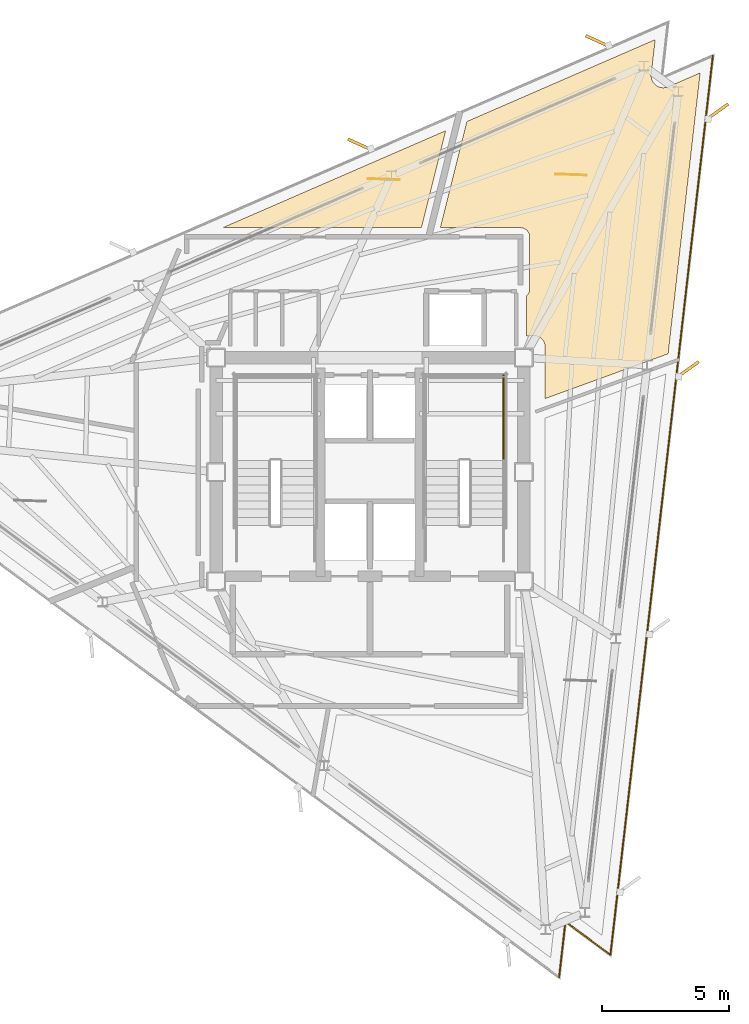
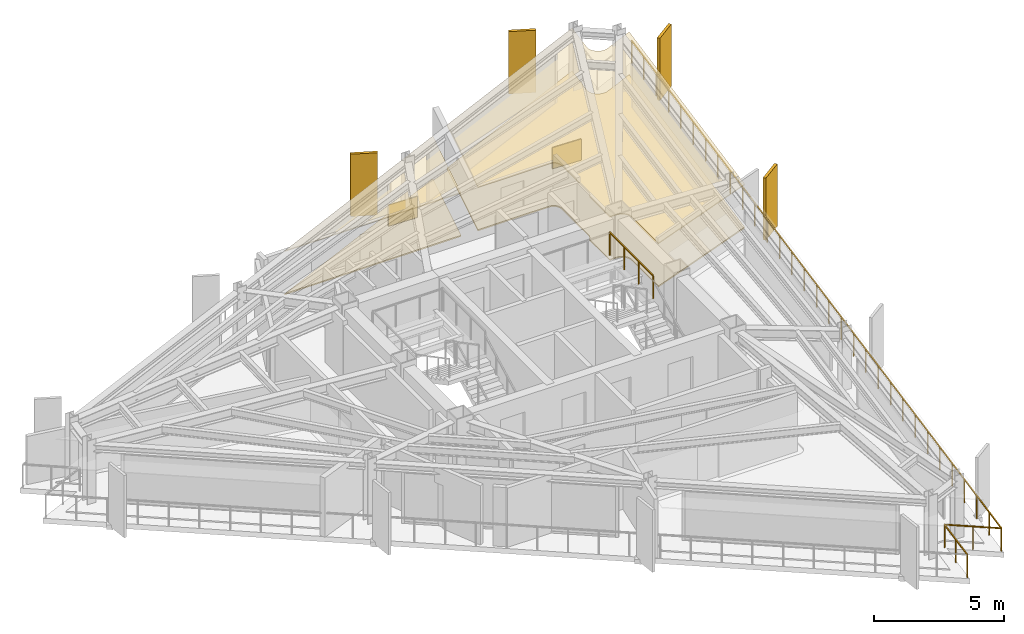
# One storey, part 10 of 10: 6 coverings, 4 shading devices, 2 railings.
"""IFC4 building model written with IfcOpenShell, lengths in metres."""

from ifc_helpers import new_model, si_unit, direction, frame, origin, origin_2d, place, context, subcontext, project, spatial, polyline, rectangle, outline, extrude, material, layer, layer_set, type_object, element, save


model = new_model("IFC4")

# Units and contexts
model_context = context("Model", 3, precision=1e-05, world=origin(), true_north=direction((0.0, 1.0)))
body_context = subcontext(model_context, "Body", "Model", "MODEL_VIEW")
ifc_project = project(units=[si_unit("LENGTHUNIT", "METRE"), si_unit("AREAUNIT", "SQUARE_METRE"), si_unit("VOLUMEUNIT", "CUBIC_METRE"), si_unit("PLANEANGLEUNIT", "RADIAN"), si_unit("MASSUNIT", "GRAM", prefix="KILO")], contexts=[model_context])

# Site, building, storey
site_placement = place(None, origin())
site = spatial("IfcSite", under=ifc_project, at=site_placement, CompositionType="ELEMENT")
building_placement = place(site_placement, origin())
building = spatial("IfcBuilding", under=site, at=building_placement, Name="Rocaltana Carrier Exchange", CompositionType="ELEMENT")
storey_placement = place(building_placement, frame((0.0, 0.0, 220.9599609375)))
storey = spatial("IfcBuildingStorey", under=building, at=storey_placement, Name="L70", CompositionType="ELEMENT", Elevation=220.9599609375)

# Coverings
ifc_material_1 = material(Name="Calcium Sulphate & Aluminium Pedestal", Category="aluminium")
ifc_layer_1 = layer(ifc_material_1, 0.06005859375)
ifc_layer_set_1 = layer_set([ifc_layer_1], Name="Calcium Sulphate & Aluminium Pedestal")
covering_type_1 = type_object("IfcCoveringType", Name="Anti-Static Raised Exchange Access Floor 60", PredefinedType="FLOORING", material=ifc_layer_set_1)
covering_1_placement = place(storey_placement, origin())
element("IfcCovering", 1, at=covering_1_placement, inside=storey, type_object=covering_type_1, Name="L70 Protocol Calibration Laboratory Finish Floor", PredefinedType="FLOORING", context=body_context, shape_type="SweptSolid", body=[
    extrude(outline(polyline([(6.159912109375, 6.931884765625), (6.16455078125, 6.93603515625), (6.18408203125, 6.955322265625), (6.189208984375, 6.961181640625), (6.206787109375, 6.982421875), (6.21142578125, 6.98876953125), (6.226806640625, 7.01171875), (6.230712890625, 7.018310546875), (6.24365234375, 7.04248046875), (6.2470703125, 7.0498046875), (6.257568359375, 7.0751953125), (6.26025390625, 7.08251953125), (6.268310546875, 7.108642578125), (6.27001953125, 7.116455078125), (6.275390625, 7.143310546875), (6.276611328125, 7.151123046875), (6.279296875, 7.178466796875), (6.27978515625, 7.186279296875), (6.280029296875, 7.199951171875), (6.280029296875, 9.25), (6.27978515625, 9.263671875), (6.279296875, 9.271484375), (6.276611328125, 9.298828125), (6.275390625, 9.306640625), (6.27001953125, 9.33349609375), (6.268310546875, 9.34130859375), (6.26025390625, 9.36767578125), (6.257568359375, 9.375), (6.2470703125, 9.400390625), (6.24365234375, 9.407470703125), (6.230712890625, 9.431640625), (6.226806640625, 9.4384765625), (6.21142578125, 9.461181640625), (6.206787109375, 9.467529296875), (6.189208984375, 9.48876953125), (6.18408203125, 9.49462890625), (6.16455078125, 9.513916015625), (6.15869140625, 9.519287109375), (6.137451171875, 9.53662109375), (6.131103515625, 9.54150390625), (6.1083984375, 9.556640625), (6.101806640625, 9.560791015625), (6.077392578125, 9.57373046875), (6.0703125, 9.576904296875), (6.044921875, 9.58740234375), (6.03759765625, 9.590087890625), (6.01123046875, 9.59814453125), (6.003662109375, 9.60009765625), (5.976806640625, 9.60546875), (5.968994140625, 9.606689453125), (5.941650390625, 9.609375), (5.93359375, 9.609619140625), (5.919921875, 9.610107421875), (2.76708984375, 9.610107421875), (3.80859375, 13.786865234375), (11.217041015625, 17.00830078125), (11.06201171875, 15.648193359375), (11.060791015625, 15.634521484375), (11.0595703125, 15.614501953125), (11.05908203125, 15.586669921875), (11.059814453125, 15.566650390625), (11.062255859375, 15.538818359375), (11.06494140625, 15.51904296875), (11.070068359375, 15.49169921875), (11.07470703125, 15.472412109375), (11.08251953125, 15.445556640625), (11.089111328125, 15.4267578125), (11.099609375, 15.40087890625), (11.10791015625, 15.3828125), (11.12109375, 15.358154296875), (11.131103515625, 15.3408203125), (11.146484375, 15.317626953125), (11.158447265625, 15.301513671875), (11.176025390625, 15.27978515625), (11.189453125, 15.26513671875), (11.209228515625, 15.245361328125), (11.223876953125, 15.23193359375), (11.24560546875, 15.21435546875), (11.261474609375, 15.202392578125), (11.284912109375, 15.18701171875), (11.302001953125, 15.1767578125), (11.32666015625, 15.163818359375), (11.344482421875, 15.1552734375), (11.37060546875, 15.144775390625), (11.389404296875, 15.13818359375), (11.416015625, 15.130126953125), (11.435302734375, 15.12548828125), (11.462890625, 15.1201171875), (11.482666015625, 15.117431640625), (11.510498046875, 15.114990234375), (11.5302734375, 15.1142578125), (11.55810546875, 15.114501953125), (11.578125, 15.11572265625), (11.60595703125, 15.118896484375), (11.62548828125, 15.1220703125), (11.65283203125, 15.1279296875), (11.672119140625, 15.133056640625), (11.69873046875, 15.1416015625), (11.71728515625, 15.148681640625), (11.730224609375, 15.15380859375), (12.985595703125, 15.699462890625), (11.726806640625, 4.6513671875), (6.889892578125, 2.890869140625), (6.889892578125, 4.919921875), (6.8896484375, 4.93359375), (6.888916015625, 4.949462890625), (6.88623046875, 4.976806640625), (6.8837890625, 4.9921875), (6.87841796875, 5.019287109375), (6.874755859375, 5.034423828125), (6.86669921875, 5.060791015625), (6.861572265625, 5.07568359375), (6.850830078125, 5.100830078125), (6.84423828125, 5.114990234375), (6.831298828125, 5.139404296875), (6.8232421875, 5.15283203125), (6.807861328125, 5.17578125), (6.798583984375, 5.188232421875), (6.781005859375, 5.20947265625), (6.7705078125, 5.22119140625), (6.751220703125, 5.240478515625), (6.739501953125, 5.251220703125), (6.71826171875, 5.2685546875), (6.705810546875, 5.27783203125), (6.682861328125, 5.293212890625), (6.66943359375, 5.30126953125), (6.64501953125, 5.314208984375), (6.630859375, 5.32080078125), (6.605712890625, 5.33154296875), (6.5908203125, 5.336669921875), (6.564453125, 5.3447265625), (6.54931640625, 5.348388671875), (6.522216796875, 5.35400390625), (6.5068359375, 5.356201171875), (6.4794921875, 5.35888671875), (6.463623046875, 5.359619140625), (6.449951171875, 5.360107421875), (6.159912109375, 5.360107421875), (6.159912109375, 6.931884765625)])), origin(), (0.0, 0.0, 1.0), 0.06005859375),
])
covering_2_placement = place(storey_placement, origin())
element("IfcCovering", 2, at=covering_2_placement, inside=storey, type_object=covering_type_1, Name="L70 Network Engineering Studio Finish Floor", PredefinedType="FLOORING", context=body_context, shape_type="SweptSolid", body=[
    extrude(outline(polyline([(-5.797607421875, 9.610107421875), (2.976318359375, 13.425048828125), (2.02490234375, 9.610107421875), (-5.797607421875, 9.610107421875)])), origin(), (0.0, 0.0, 1.0), 0.06005859375),
])
ifc_material_2 = material(Name="Mineral Fibre & Powder-Coated Aluminium", Category="aluminium")
ifc_layer_2 = layer(ifc_material_2, 0.044921875)
ifc_layer_set_2 = layer_set([ifc_layer_2], Name="Mineral Fibre & Powder-Coated Aluminium")
covering_type_2 = type_object("IfcCoveringType", Name="Micro-Perforated Acoustic Ceiling 45", PredefinedType="CEILING", material=ifc_layer_set_2)
covering_3_placement = place(storey_placement, frame((0.0, 0.0, 2.02294921875)))
element("IfcCovering", 3, at=covering_3_placement, inside=storey, type_object=covering_type_2, Name="L70 Protocol Calibration Laboratory Acoustic Ceiling", PredefinedType="CEILING", context=body_context, shape_type="SweptSolid", body=[
    extrude(outline(polyline([(6.159912109375, 6.931884765625), (6.16455078125, 6.93603515625), (6.18408203125, 6.955322265625), (6.189208984375, 6.961181640625), (6.206787109375, 6.982421875), (6.21142578125, 6.98876953125), (6.226806640625, 7.01171875), (6.230712890625, 7.018310546875), (6.24365234375, 7.04248046875), (6.2470703125, 7.0498046875), (6.257568359375, 7.0751953125), (6.26025390625, 7.08251953125), (6.268310546875, 7.108642578125), (6.27001953125, 7.116455078125), (6.275390625, 7.143310546875), (6.276611328125, 7.151123046875), (6.279296875, 7.178466796875), (6.27978515625, 7.186279296875), (6.280029296875, 7.199951171875), (6.280029296875, 9.25), (6.27978515625, 9.263671875), (6.279296875, 9.271484375), (6.276611328125, 9.298828125), (6.275390625, 9.306640625), (6.27001953125, 9.33349609375), (6.268310546875, 9.34130859375), (6.26025390625, 9.36767578125), (6.257568359375, 9.375), (6.2470703125, 9.400390625), (6.24365234375, 9.407470703125), (6.230712890625, 9.431640625), (6.226806640625, 9.4384765625), (6.21142578125, 9.461181640625), (6.206787109375, 9.467529296875), (6.189208984375, 9.48876953125), (6.18408203125, 9.49462890625), (6.16455078125, 9.513916015625), (6.15869140625, 9.519287109375), (6.137451171875, 9.53662109375), (6.131103515625, 9.54150390625), (6.1083984375, 9.556640625), (6.101806640625, 9.560791015625), (6.077392578125, 9.57373046875), (6.0703125, 9.576904296875), (6.044921875, 9.58740234375), (6.03759765625, 9.590087890625), (6.01123046875, 9.59814453125), (6.003662109375, 9.60009765625), (5.976806640625, 9.60546875), (5.968994140625, 9.606689453125), (5.941650390625, 9.609375), (5.93359375, 9.609619140625), (5.919921875, 9.610107421875), (2.76708984375, 9.610107421875), (3.80859375, 13.786865234375), (11.217041015625, 17.00830078125), (11.06201171875, 15.648193359375), (11.060791015625, 15.634521484375), (11.0595703125, 15.614501953125), (11.05908203125, 15.586669921875), (11.059814453125, 15.566650390625), (11.062255859375, 15.538818359375), (11.06494140625, 15.51904296875), (11.070068359375, 15.49169921875), (11.07470703125, 15.472412109375), (11.08251953125, 15.445556640625), (11.089111328125, 15.4267578125), (11.099609375, 15.40087890625), (11.10791015625, 15.3828125), (11.12109375, 15.358154296875), (11.131103515625, 15.3408203125), (11.146484375, 15.317626953125), (11.158447265625, 15.301513671875), (11.176025390625, 15.27978515625), (11.189453125, 15.26513671875), (11.209228515625, 15.245361328125), (11.223876953125, 15.23193359375), (11.24560546875, 15.21435546875), (11.261474609375, 15.202392578125), (11.284912109375, 15.18701171875), (11.302001953125, 15.1767578125), (11.32666015625, 15.163818359375), (11.344482421875, 15.1552734375), (11.37060546875, 15.144775390625), (11.389404296875, 15.13818359375), (11.416015625, 15.130126953125), (11.435302734375, 15.12548828125), (11.462890625, 15.1201171875), (11.482666015625, 15.117431640625), (11.510498046875, 15.114990234375), (11.5302734375, 15.1142578125), (11.55810546875, 15.114501953125), (11.578125, 15.11572265625), (11.60595703125, 15.118896484375), (11.62548828125, 15.1220703125), (11.65283203125, 15.1279296875), (11.672119140625, 15.133056640625), (11.69873046875, 15.1416015625), (11.71728515625, 15.148681640625), (11.730224609375, 15.15380859375), (12.985595703125, 15.699462890625), (11.726806640625, 4.6513671875), (6.889892578125, 2.890869140625), (6.889892578125, 4.919921875), (6.8896484375, 4.93359375), (6.888916015625, 4.949462890625), (6.88623046875, 4.976806640625), (6.8837890625, 4.9921875), (6.87841796875, 5.019287109375), (6.874755859375, 5.034423828125), (6.86669921875, 5.060791015625), (6.861572265625, 5.07568359375), (6.850830078125, 5.100830078125), (6.84423828125, 5.114990234375), (6.831298828125, 5.139404296875), (6.8232421875, 5.15283203125), (6.807861328125, 5.17578125), (6.798583984375, 5.188232421875), (6.781005859375, 5.20947265625), (6.7705078125, 5.22119140625), (6.751220703125, 5.240478515625), (6.739501953125, 5.251220703125), (6.71826171875, 5.2685546875), (6.705810546875, 5.27783203125), (6.682861328125, 5.293212890625), (6.66943359375, 5.30126953125), (6.64501953125, 5.314208984375), (6.630859375, 5.32080078125), (6.605712890625, 5.33154296875), (6.5908203125, 5.336669921875), (6.564453125, 5.3447265625), (6.54931640625, 5.348388671875), (6.522216796875, 5.35400390625), (6.5068359375, 5.356201171875), (6.4794921875, 5.35888671875), (6.463623046875, 5.359619140625), (6.449951171875, 5.360107421875), (6.159912109375, 5.360107421875), (6.159912109375, 6.931884765625)])), origin(), (0.0, 0.0, 1.0), 0.045166015625),
])
covering_4_placement = place(storey_placement, frame((0.0, 0.0, 2.02294921875)))
element("IfcCovering", 4, at=covering_4_placement, inside=storey, type_object=covering_type_2, Name="L70 Network Engineering Studio Acoustic Ceiling", PredefinedType="CEILING", context=body_context, shape_type="SweptSolid", body=[
    extrude(outline(polyline([(-5.797607421875, 9.610107421875), (2.976318359375, 13.425048828125), (2.02490234375, 9.610107421875), (-5.797607421875, 9.610107421875)])), origin(), (0.0, 0.0, 1.0), 0.045166015625),
])

# Railing
ifc_material_3 = material(Name="Powder-Coated Aluminium 6063-T6", Category="aluminium")
ifc_layer_3 = layer(ifc_material_3, 0.048095703125)
ifc_layer_set_3 = layer_set([ifc_layer_3], Name="Powder-Coated Aluminium 6063-T6")
railing_type_1 = type_object("IfcRailingType", Name="Stair Well Guardrail 1100", PredefinedType="GUARDRAIL", material=ifc_layer_set_3)
railing_1_placement = place(storey_placement, frame((5.25, 0.4599609375, 1.52001953125)))
element("IfcRailing", 5, at=railing_1_placement, inside=storey, type_object=railing_type_1, Name="L70 ST-2 stair guard 3", PredefinedType="GUARDRAIL", context=body_context, shape_type="SweptSolid", body=[
    extrude(rectangle(XDim=0.048095703125, YDim=0.048095703125, at=origin_2d()), frame((0.0, 0.0, 1.076171875), z_axis=(0.0, 1.0, 0.0), x_axis=(-1.0, 0.0, 0.0)), (0.0, 0.0, 1.0), 3.340087890625),
    extrude(rectangle(XDim=0.0419921875, YDim=0.0419921875, at=origin_2d()), origin(), (0.0, 0.0, 1.0), 1.052001953125),
    extrude(rectangle(XDim=0.0419921875, YDim=0.0419921875, at=origin_2d()), frame((0.0, 1.11328125, 0.0)), (0.0, 0.0, 1.0), 1.052001953125),
    extrude(rectangle(XDim=0.0419921875, YDim=0.0419921875, at=origin_2d()), frame((0.0, 2.226806640625, 0.0)), (0.0, 0.0, 1.0), 1.052001953125),
    extrude(rectangle(XDim=0.0419921875, YDim=0.0419921875, at=origin_2d()), frame((0.0, 3.340087890625, 0.0)), (0.0, 0.0, 1.0), 1.052001953125),
])

# Coverings
ifc_material_4 = material(Name="Honed Piedra Muneca Sandstone", Category="masonry")
ifc_layer_4 = layer(ifc_material_4, 0.034912109375)
ifc_layer_set_4 = layer_set([ifc_layer_4], Name="Honed Piedra Muneca Sandstone")
covering_type_3 = type_object("IfcCoveringType", Name="Stone Facade Cladding 35", PredefinedType="CLADDING", material=ifc_layer_set_4)
for number, where, z_axis, x_axis, name in (
    (6, (7.90869140625, 11.698486328125, 0.0), (0.0, 0.0, 1.0), (-0.999390827019, 0.034899496703, 0.0), "L70 Stone Facade Cladding Panel 5"),
    (7, (0.544921875, 11.517578125, 0.0), (0.0, 0.0, 1.0), (-0.999390827019, 0.034899496703, 0.0), "L70 Stone Facade Cladding Panel 6"),
):
    element("IfcCovering", number, at=place(storey_placement, frame(where, z_axis=z_axis, x_axis=x_axis)), inside=storey, type_object=covering_type_3, Name=name, PredefinedType="CLADDING", context=body_context, shape_type="SweptSolid", body=[
        extrude(rectangle(XDim=1.25, YDim=0.034912109375, at=origin_2d()), origin(), (0.0, 0.0, 1.0), 1.050048828125),
    ])

# Shading devices
ifc_material_5 = material(Name="Honed Bogota Sandstone & Concrete C45/55", Category="masonry")
ifc_layer_5 = layer(ifc_material_5, 0.1201171875)
ifc_layer_set_5 = layer_set([ifc_layer_5], Name="Honed Bogota Sandstone & Concrete C45/55")
shading_device_type = type_object("IfcShadingDeviceType", Name="Upper Sandstone Shading Fin 1050x120", PredefinedType="USERDEFINED", material=ifc_layer_set_5)
for number, where, z_axis, x_axis, name in (
    (8, (12.502197265625, 4.03515625, -0.119873046875), (0.0, 0.0, 1.0), (0.814115518356, 0.580702955711, 0.0), "L70 Sandstone Vertical Fin F1-03"),
    (9, (13.656982421875, 14.169677734375, -0.119873046875), (0.0, 0.0, 1.0), (0.814115518356, 0.580702955711, 0.0), "L70 Sandstone Vertical Fin F1-04"),
    (10, (8.96240234375, 16.944091796875, -0.119873046875), (0.0, 0.0, 1.0), (-0.909961270877, 0.414693242656, 0.0), "L70 Sandstone Vertical Fin F2-01"),
    (11, (-0.3916015625, 12.876953125, -0.119873046875), (0.0, 0.0, 1.0), (-0.909961270877, 0.414693242656, 0.0), "L70 Sandstone Vertical Fin F2-02"),
):
    element("IfcShadingDevice", number, at=place(storey_placement, frame(where, z_axis=z_axis, x_axis=x_axis)), inside=storey, type_object=shading_device_type, Name=name, ObjectType="FIN", PredefinedType="USERDEFINED", context=body_context, shape_type="SweptSolid", body=[
        extrude(rectangle(XDim=1.050048828125, YDim=0.1201171875, at=origin_2d()), origin(), (0.0, 0.0, 1.0), 2.91796875),
    ])

# Railing
ifc_material_6 = material(Name="Powder-Coated Aluminium 6063-T6", Category="aluminium")
ifc_layer_6 = layer(ifc_material_6, 0.06005859375)
ifc_layer_set_6 = layer_set([ifc_layer_6], Name="Powder-Coated Aluminium 6063-T6")
railing_type_2 = type_object("IfcRailingType", Name="Wind-Floor & Terrace Perimeter Guardrail 1100", PredefinedType="GUARDRAIL", material=ifc_layer_set_6)
railing_2_placement = place(storey_placement, frame((13.485107421875, 16.374755859375, 0.0)))
element("IfcRailing", 12, at=railing_2_placement, inside=storey, type_object=railing_type_2, Name="L70 Perimeter Balcony Guardrail 3", PredefinedType="GUARDRAIL", context=body_context, shape_type="SweptSolid", body=[
    extrude(rectangle(XDim=0.048095703125, YDim=0.048095703125, at=origin_2d()), frame((0.0, 0.0, 1.076171875), z_axis=(-0.113200877656, -0.99357212184, 0.0), x_axis=(0.99357212184, -0.113200877656, 0.0)), (0.0, 0.0, 1.0), 35.592041015625),
    extrude(rectangle(XDim=0.048095703125, YDim=0.048095703125, at=origin_2d()), frame((-4.029052734375, -35.36328125, 1.076171875), z_axis=(-0.803871612758, 0.59480284986, 0.0), x_axis=(-0.59480284986, -0.803871612758, 0.0)), (0.0, 0.0, 1.0), 2.199951171875),
    extrude(rectangle(XDim=0.048095703125, YDim=0.048095703125, at=origin_2d()), frame((-5.797607421875, -34.0546875, 1.076171875), z_axis=(-0.113183557839, -0.99357409499, 0.0), x_axis=(0.99357409499, -0.113183557839, 0.0)), (0.0, 0.0, 1.0), 2.2001953125),
    extrude(rectangle(XDim=0.0419921875, YDim=0.0419921875, at=origin_2d()), origin(), (0.0, 0.0, 1.0), 1.052001953125),
    extrude(rectangle(XDim=0.0419921875, YDim=0.0419921875, at=origin_2d()), frame((-0.13427734375, -1.1787109375, 0.0)), (0.0, 0.0, 1.0), 1.052001953125),
    extrude(rectangle(XDim=0.0419921875, YDim=0.0419921875, at=origin_2d()), frame((-0.2685546875, -2.357666015625, 0.0)), (0.0, 0.0, 1.0), 1.052001953125),
    extrude(rectangle(XDim=0.0419921875, YDim=0.0419921875, at=origin_2d()), frame((-0.40283203125, -3.536376953125, 0.0)), (0.0, 0.0, 1.0), 1.052001953125),
    extrude(rectangle(XDim=0.0419921875, YDim=0.0419921875, at=origin_2d()), frame((-0.537109375, -4.715087890625, 0.0)), (0.0, 0.0, 1.0), 1.052001953125),
    extrude(rectangle(XDim=0.0419921875, YDim=0.0419921875, at=origin_2d()), frame((-0.67138671875, -5.893798828125, 0.0)), (0.0, 0.0, 1.0), 1.052001953125),
    extrude(rectangle(XDim=0.0419921875, YDim=0.0419921875, at=origin_2d()), frame((-0.805908203125, -7.07275390625, 0.0)), (0.0, 0.0, 1.0), 1.052001953125),
    extrude(rectangle(XDim=0.0419921875, YDim=0.0419921875, at=origin_2d()), frame((-0.940185546875, -8.25146484375, 0.0)), (0.0, 0.0, 1.0), 1.052001953125),
    extrude(rectangle(XDim=0.0419921875, YDim=0.0419921875, at=origin_2d()), frame((-1.074462890625, -9.43017578125, 0.0)), (0.0, 0.0, 1.0), 1.052001953125),
    extrude(rectangle(XDim=0.0419921875, YDim=0.0419921875, at=origin_2d()), frame((-1.208740234375, -10.60888671875, 0.0)), (0.0, 0.0, 1.0), 1.052001953125),
    extrude(rectangle(XDim=0.0419921875, YDim=0.0419921875, at=origin_2d()), frame((-1.343017578125, -11.787841796875, 0.0)), (0.0, 0.0, 1.0), 1.052001953125),
    extrude(rectangle(XDim=0.0419921875, YDim=0.0419921875, at=origin_2d()), frame((-1.477294921875, -12.966552734375, 0.0)), (0.0, 0.0, 1.0), 1.052001953125),
    extrude(rectangle(XDim=0.0419921875, YDim=0.0419921875, at=origin_2d()), frame((-1.611572265625, -14.145263671875, 0.0)), (0.0, 0.0, 1.0), 1.052001953125),
    extrude(rectangle(XDim=0.0419921875, YDim=0.0419921875, at=origin_2d()), frame((-1.745849609375, -15.323974609375, 0.0)), (0.0, 0.0, 1.0), 1.052001953125),
    extrude(rectangle(XDim=0.0419921875, YDim=0.0419921875, at=origin_2d()), frame((-1.880126953125, -16.5029296875, 0.0)), (0.0, 0.0, 1.0), 1.052001953125),
    extrude(rectangle(XDim=0.0419921875, YDim=0.0419921875, at=origin_2d()), frame((-2.0146484375, -17.681640625, 0.0)), (0.0, 0.0, 1.0), 1.052001953125),
    extrude(rectangle(XDim=0.0419921875, YDim=0.0419921875, at=origin_2d()), frame((-2.14892578125, -18.8603515625, 0.0)), (0.0, 0.0, 1.0), 1.052001953125),
    extrude(rectangle(XDim=0.0419921875, YDim=0.0419921875, at=origin_2d()), frame((-2.283203125, -20.039306640625, 0.0)), (0.0, 0.0, 1.0), 1.052001953125),
    extrude(rectangle(XDim=0.0419921875, YDim=0.0419921875, at=origin_2d()), frame((-2.41748046875, -21.218017578125, 0.0)), (0.0, 0.0, 1.0), 1.052001953125),
    extrude(rectangle(XDim=0.0419921875, YDim=0.0419921875, at=origin_2d()), frame((-2.5517578125, -22.396728515625, 0.0)), (0.0, 0.0, 1.0), 1.052001953125),
    extrude(rectangle(XDim=0.0419921875, YDim=0.0419921875, at=origin_2d()), frame((-2.68603515625, -23.575439453125, 0.0)), (0.0, 0.0, 1.0), 1.052001953125),
    extrude(rectangle(XDim=0.0419921875, YDim=0.0419921875, at=origin_2d()), frame((-2.8203125, -24.75439453125, 0.0)), (0.0, 0.0, 1.0), 1.052001953125),
    extrude(rectangle(XDim=0.0419921875, YDim=0.0419921875, at=origin_2d()), frame((-2.95458984375, -25.93310546875, 0.0)), (0.0, 0.0, 1.0), 1.052001953125),
    extrude(rectangle(XDim=0.0419921875, YDim=0.0419921875, at=origin_2d()), frame((-3.0888671875, -27.11181640625, 0.0)), (0.0, 0.0, 1.0), 1.052001953125),
    extrude(rectangle(XDim=0.0419921875, YDim=0.0419921875, at=origin_2d()), frame((-3.22314453125, -28.29052734375, 0.0)), (0.0, 0.0, 1.0), 1.052001953125),
    extrude(rectangle(XDim=0.0419921875, YDim=0.0419921875, at=origin_2d()), frame((-3.357421875, -29.469482421875, 0.0)), (0.0, 0.0, 1.0), 1.052001953125),
    extrude(rectangle(XDim=0.0419921875, YDim=0.0419921875, at=origin_2d()), frame((-3.491943359375, -30.648193359375, 0.0)), (0.0, 0.0, 1.0), 1.052001953125),
    extrude(rectangle(XDim=0.0419921875, YDim=0.0419921875, at=origin_2d()), frame((-3.626220703125, -31.826904296875, 0.0)), (0.0, 0.0, 1.0), 1.052001953125),
    extrude(rectangle(XDim=0.0419921875, YDim=0.0419921875, at=origin_2d()), frame((-3.760498046875, -33.005615234375, 0.0)), (0.0, 0.0, 1.0), 1.052001953125),
    extrude(rectangle(XDim=0.0419921875, YDim=0.0419921875, at=origin_2d()), frame((-3.894775390625, -34.1845703125, 0.0)), (0.0, 0.0, 1.0), 1.052001953125),
    extrude(rectangle(XDim=0.0419921875, YDim=0.0419921875, at=origin_2d()), frame((-4.029052734375, -35.36328125, 0.0)), (0.0, 0.0, 1.0), 1.052001953125),
    extrude(rectangle(XDim=0.0419921875, YDim=0.0419921875, at=origin_2d()), frame((-4.913330078125, -34.708984375, 0.0)), (0.0, 0.0, 1.0), 1.052001953125),
    extrude(rectangle(XDim=0.0419921875, YDim=0.0419921875, at=origin_2d()), frame((-5.797607421875, -34.0546875, 0.0)), (0.0, 0.0, 1.0), 1.052001953125),
    extrude(rectangle(XDim=0.0419921875, YDim=0.0419921875, at=origin_2d()), frame((-5.922119140625, -35.147705078125, 0.0)), (0.0, 0.0, 1.0), 1.052001953125),
    extrude(rectangle(XDim=0.0419921875, YDim=0.0419921875, at=origin_2d()), frame((-6.046630859375, -36.24072265625, 0.0)), (0.0, 0.0, 1.0), 1.052001953125),
])

save(model, "model.ifc")
